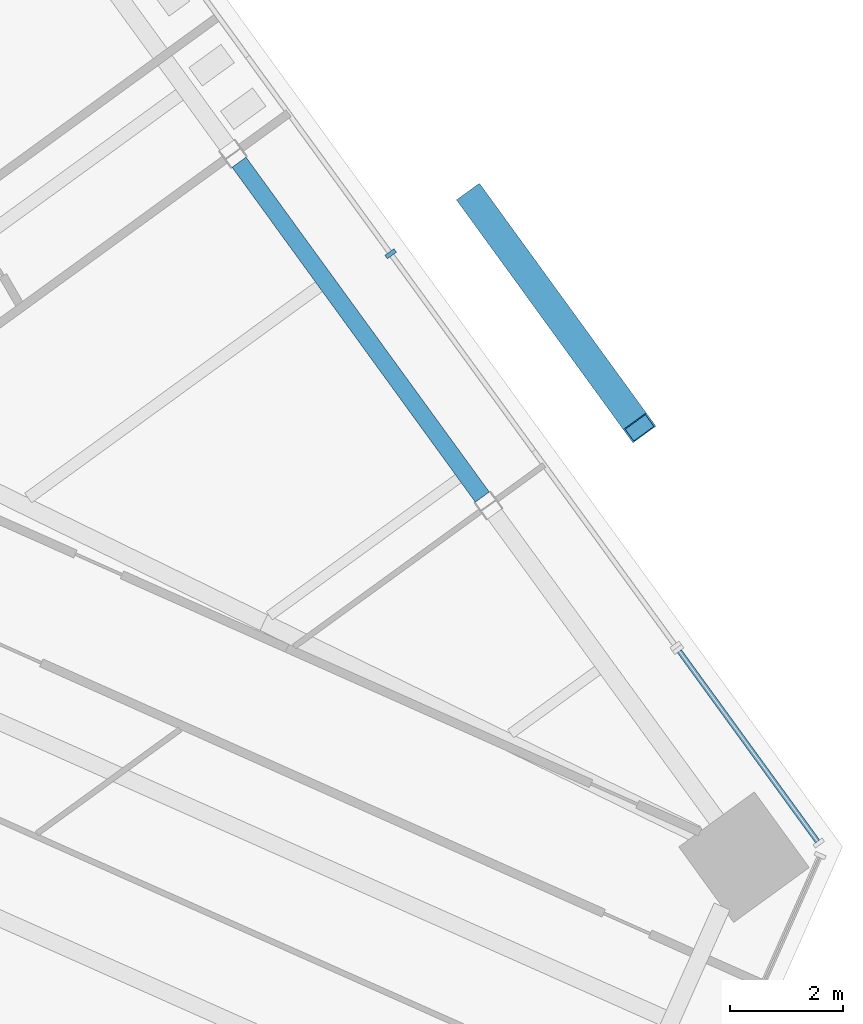
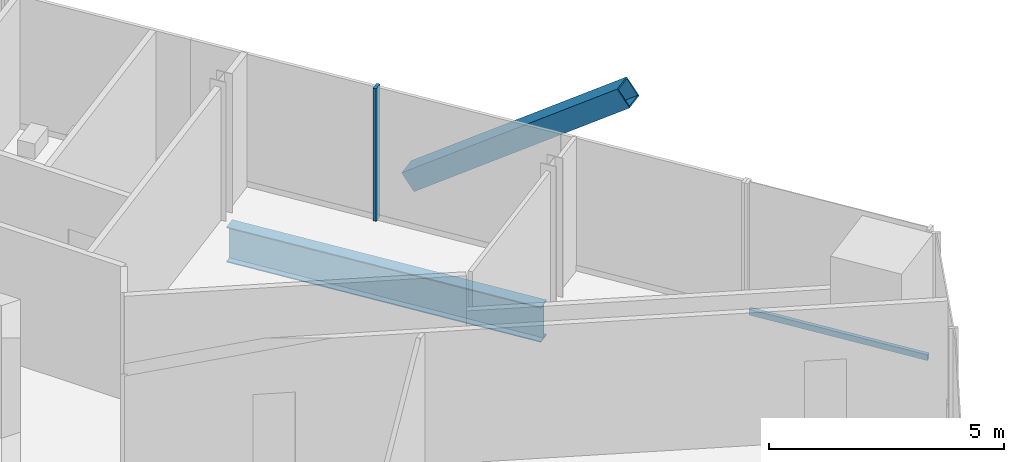
# One storey, part 7 of 19: 3 members, 1 beam, 2 elements without a shape of their own.
"""IFC4 building model written with IfcOpenShell, lengths in metres."""

from ifc_helpers import new_model, si_unit, direction, frame, origin, origin_2d, place, context, subcontext, project, spatial, rectangle, hollow_rectangle, i_section, extrude, source, transform, mapped, material, material_profile, profile_set, type_object, element, aggregate, save


model = new_model("IFC4")

# Units and contexts
model_context = context("Model", 3, precision=1e-05, world=origin(), true_north=direction((0.0, 1.0)))
body_context = subcontext(model_context, "Body", "Model", "MODEL_VIEW")
ifc_project = project(units=[si_unit("LENGTHUNIT", "METRE"), si_unit("AREAUNIT", "SQUARE_METRE"), si_unit("VOLUMEUNIT", "CUBIC_METRE"), si_unit("PLANEANGLEUNIT", "RADIAN"), si_unit("MASSUNIT", "GRAM", prefix="KILO")], contexts=[model_context])

# Site, building, storey
site_placement = place(None, origin())
site = spatial("IfcSite", under=ifc_project, at=site_placement, CompositionType="ELEMENT")
building_placement = place(site_placement, origin())
building = spatial("IfcBuilding", under=site, at=building_placement, Name="Triune Harvest Tower", CompositionType="ELEMENT")
storey_placement = place(building_placement, frame((0.0, 0.0, 244.89990234375)))
storey = spatial("IfcBuildingStorey", under=building, at=storey_placement, Name="L64", CompositionType="ELEMENT", Elevation=244.89990234375)

# Beam
ifc_material_1 = material(Name="Steel ASTM A992 Gr 50", Category="steel")
ifc_material_profile_1 = material_profile(ifc_material_1, i_section(OverallWidth=0.3046875, OverallDepth=0.914306640625, WebThickness=0.0166015625, FlangeThickness=0.02587890625, at=origin_2d()), Name="W36x160")
ifc_profile_set_1 = profile_set([ifc_material_profile_1], Name="Steel ASTM A992 Gr 50")
beam_type = type_object("IfcBeamType", Name="SB-1 Spandrel beam W36x160", PredefinedType="SPANDREL", material=ifc_profile_set_1)
shared_shape_1 = source(origin(), body_context, "Body", "SweptSolid", [
    extrude(i_section(OverallWidth=0.3046875, OverallDepth=0.914306640625, WebThickness=0.0166015625, FlangeThickness=0.02587890625, at=origin_2d()), origin(), (0.0, 0.0, 1.0), 7.31103515625),
])
beam_placement = place(storey_placement, frame((24.119384765625, -1.2333984375, -0.6171875), z_axis=(-0.587786436325, 0.809016134124, 0.0), x_axis=(-0.809016134124, -0.587786436325, 0.0)))
element("IfcBeam", 1, at=beam_placement, inside=storey, type_object=beam_type, Name="beam/L64/SB2", PredefinedType="SPANDREL", context=body_context, shape_type="MappedRepresentation", body=[
    mapped(shared_shape_1, transform((0.0, 0.0, 0.0), scale=1.0)),
])

# Member
ifc_material_2 = material(Name="Steel ASTM A572 Gr 50", Category="steel")
ifc_material_profile_2 = material_profile(ifc_material_2, hollow_rectangle(XDim=0.5, YDim=0.5, WallThickness=0.030029296875, at=origin_2d()), Name="Box 500x500x30")
ifc_profile_set_2 = profile_set([ifc_material_profile_2], Name="Steel ASTM A572 Gr 50")
member_type_1 = type_object("IfcMemberType", Name="BR-3 Brace Box 500x500x30", PredefinedType="BRACE", material=ifc_profile_set_2)
shared_shape_2 = source(origin(), body_context, "Body", "SweptSolid", [
    extrude(hollow_rectangle(XDim=0.5, YDim=0.5, WallThickness=0.030029296875, at=origin_2d()), origin(), (0.0, 0.0, 1.0), 6.1708984375),
])
member_1_placement = place(storey_placement, frame((23.95068359375, 4.044189453125, 0.0), z_axis=(0.477376427462, -0.657075062762, 0.583407326318), x_axis=(0.809026684069, 0.587771915341, 0.0)))
element("IfcMember", 2, at=member_1_placement, inside=storey, type_object=member_type_1, Name="brace/B6-F1/d2/8", PredefinedType="BRACE", context=body_context, shape_type="MappedRepresentation", body=[
    mapped(shared_shape_2, transform((0.0, 0.0, 0.0), scale=1.0)),
])

# Curtain wall, member
ifc_material_3 = material(Name="Aluminium bronze anodised", Category="aluminium")
curtain_wall_type_1 = type_object("IfcCurtainWallType", Name="CW-10 Balcony window wall with insulated spandrel infill", PredefinedType="NOTDEFINED", material=ifc_material_3)
curtain_wall_1_placement = place(storey_placement, origin())
curtain_wall_1 = element("IfcCurtainWall", 3, at=curtain_wall_1_placement, inside=storey, type_object=curtain_wall_type_1, Name="CW-10 B6-F1 L64 run 1001")
ifc_material_4 = material(Name="Aluminium bronze anodised", Category="aluminium")
ifc_material_profile_3 = material_profile(ifc_material_4, rectangle(XDim=0.199951171875, YDim=0.074951171875, at=origin_2d()), Name="MU-6 mullion 75 x 200")
ifc_profile_set_3 = profile_set([ifc_material_profile_3], Name="Aluminium bronze anodised")
member_type_2 = type_object("IfcMemberType", Name="MU-6 mullion 75 x 200", PredefinedType="MULLION", material=ifc_profile_set_3)
shared_shape_3 = source(origin(), body_context, "Body", "SweptSolid", [
    extrude(rectangle(XDim=0.199951171875, YDim=0.074951171875, at=origin_2d()), origin(), (0.0, 0.0, 1.0), 3.440185546875),
])
member_2_placement = place(storey_placement, frame((22.49951171875, 3.064208984375, 0.0), z_axis=(0.0, 0.0, 1.0), x_axis=(-0.809016479558, -0.587785960877, 0.0)))
member_2 = element("IfcMember", 4, at=member_2_placement, type_object=member_type_2, Name="CW-10 mullion B6-F1 1001.3", PredefinedType="MULLION", context=body_context, shape_type="MappedRepresentation", body=[
    mapped(shared_shape_3, transform((0.0, 0.0, 0.0), scale=1.0)),
])
aggregate(curtain_wall_1, [member_2])

ifc_material_5 = material(Name="Aluminium bronze anodised", Category="aluminium")
curtain_wall_type_2 = type_object("IfcCurtainWallType", Name="CW-6 Balcony window wall", PredefinedType="NOTDEFINED", material=ifc_material_5)
curtain_wall_2_placement = place(storey_placement, origin())
curtain_wall_2 = element("IfcCurtainWall", 5, at=curtain_wall_2_placement, inside=storey, type_object=curtain_wall_type_2, Name="CW-6 B6-F1 L64 run 1")
ifc_material_6 = material(Name="Aluminium bronze anodised", Category="aluminium")
ifc_material_profile_4 = material_profile(ifc_material_6, rectangle(XDim=0.090087890625, YDim=0.14990234375, at=origin_2d()), Name="TR-6 transom 90 x 150")
ifc_profile_set_4 = profile_set([ifc_material_profile_4], Name="Aluminium bronze anodised")
member_type_3 = type_object("IfcMemberType", Name="TR-6 transom 90 x 150", PredefinedType="USERDEFINED", material=ifc_profile_set_4)
shared_shape_4 = source(origin(), body_context, "Body", "SweptSolid", [
    extrude(rectangle(XDim=0.090087890625, YDim=0.14990234375, at=origin_2d()), origin(), (0.0, 0.0, 1.0), 4.151611328125),
])
member_3_placement = place(storey_placement, frame((30.040283203125, -7.31494140625, 0.0751953125), z_axis=(-0.587783498765, 0.809018268385, 0.0), x_axis=(-0.809018268385, -0.587783498765, 0.0)))
member_3 = element("IfcMember", 6, at=member_3_placement, type_object=member_type_3, Name="CW-6 transom B6-F1 1.1", ObjectType="TRANSOM", PredefinedType="USERDEFINED", context=body_context, shape_type="MappedRepresentation", body=[
    mapped(shared_shape_4, transform((0.0, 0.0, 0.0), scale=1.0)),
])
aggregate(curtain_wall_2, [member_3])

save(model, "model.ifc")
